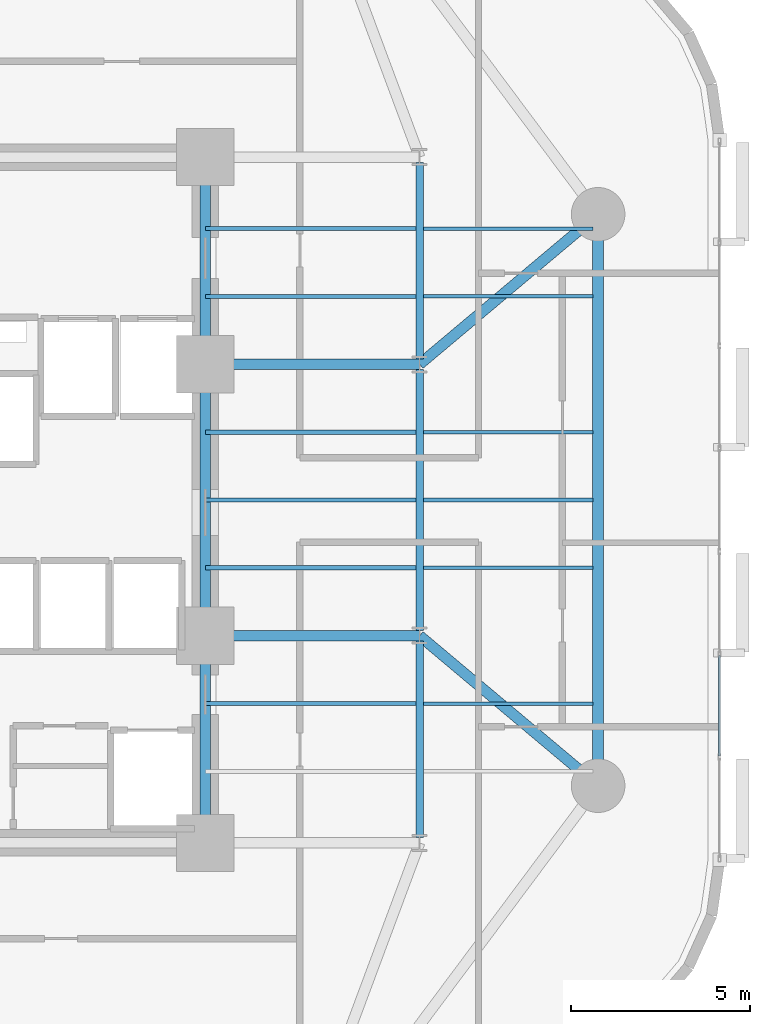
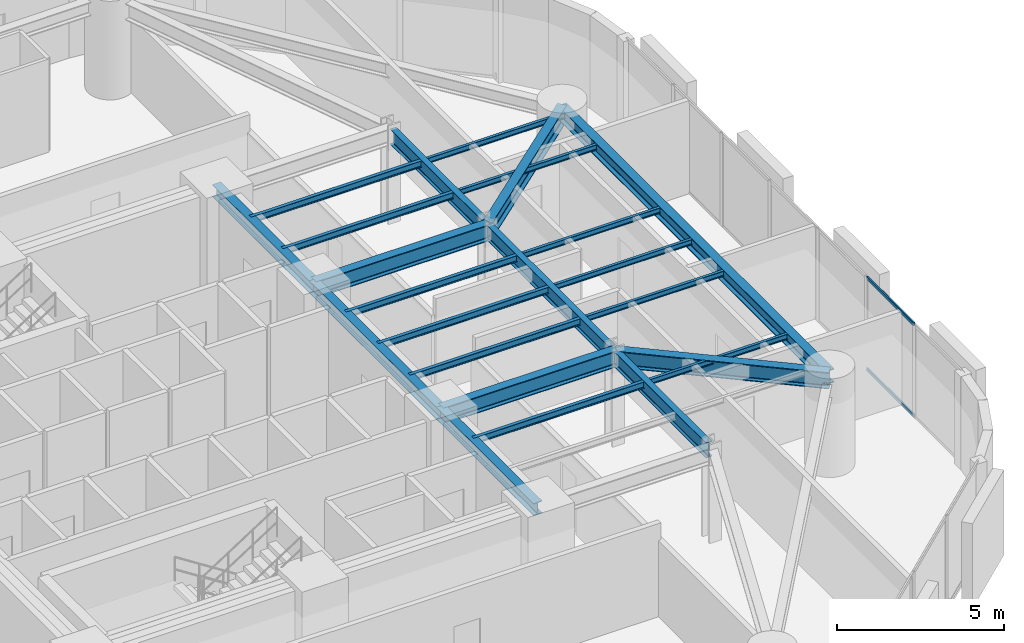
# One storey, part 5 of 16: 23 beams, 2 members, 1 element without a shape of its own.
"""IFC4 building model written with IfcOpenShell, lengths in metres."""

from ifc_helpers import new_model, si_unit, direction, frame, origin, origin_2d, place, context, subcontext, project, spatial, hollow_rectangle, i_section, extrude, material, layer, layer_set, material_profile, profile_set, type_object, element, aggregate, save


model = new_model("IFC4")

# Units and contexts
model_context = context("Model", 3, precision=1e-05, world=origin(), true_north=direction((0.0, 1.0)))
body_context = subcontext(model_context, "Body", "Model", "MODEL_VIEW")
ifc_project = project(units=[si_unit("LENGTHUNIT", "METRE"), si_unit("AREAUNIT", "SQUARE_METRE"), si_unit("VOLUMEUNIT", "CUBIC_METRE"), si_unit("PLANEANGLEUNIT", "RADIAN"), si_unit("MASSUNIT", "GRAM", prefix="KILO")], contexts=[model_context])

# Site, building, storey
site_placement = place(None, origin())
site = spatial("IfcSite", under=ifc_project, at=site_placement, CompositionType="ELEMENT")
building_placement = place(site_placement, origin())
building = spatial("IfcBuilding", under=site, at=building_placement, Name="An Khanh Terracotta Commons", CompositionType="ELEMENT")
storey_placement = place(building_placement, frame((0.0, 0.0, 54.0)))
storey = spatial("IfcBuildingStorey", under=building, at=storey_placement, Name="L14", CompositionType="ELEMENT", Elevation=54.0)

# Beams
ifc_material_1 = material(Name="Steel S355J2", Category="steel")
ifc_material_profile_1 = material_profile(ifc_material_1, i_section(OverallWidth=0.300048828125, OverallDepth=0.449951171875, WebThickness=0.013916015625, FlangeThickness=0.02587890625, FilletRadius=0.027099609375, at=origin_2d()), Name="HEB450")
ifc_profile_set_1 = profile_set([ifc_material_profile_1], Name="Steel S355J2")
beam_type_1 = type_object("IfcBeamType", Name="BM-HEB450", PredefinedType="BEAM", material=ifc_profile_set_1)
beam_1_placement = place(storey_placement, frame((37.199951171875, 14.39990234375, 3.175048828125), z_axis=(0.0, 1.0, 0.0), x_axis=(-1.0, 0.0, 0.0)))
element("IfcBeam", 1, at=beam_1_placement, inside=storey, type_object=beam_type_1, Name="L14 Core East Coupling Girder 1", PredefinedType="BEAM", context=body_context, shape_type="SweptSolid", body=[
    extrude(i_section(OverallWidth=0.300048828125, OverallDepth=0.449951171875, WebThickness=0.013916015625, FlangeThickness=0.02587890625, FilletRadius=0.027099609375, at=origin_2d()), origin(), (0.0, 0.0, 1.0), 5.800048828125),
])
beam_2_placement = place(storey_placement, frame((37.199951171875, 20.199951171875, 3.175048828125), z_axis=(0.0, 1.0, 0.0), x_axis=(-1.0, 0.0, 0.0)))
element("IfcBeam", 2, at=beam_2_placement, inside=storey, type_object=beam_type_1, Name="L14 Core East Coupling Girder 2", PredefinedType="BEAM", context=body_context, shape_type="SweptSolid", body=[
    extrude(i_section(OverallWidth=0.300048828125, OverallDepth=0.449951171875, WebThickness=0.013916015625, FlangeThickness=0.02587890625, FilletRadius=0.027099609375, at=origin_2d()), origin(), (0.0, 0.0, 1.0), 7.60009765625),
])
beam_3_placement = place(storey_placement, frame((37.199951171875, 27.800048828125, 3.175048828125), z_axis=(0.0, 1.0, 0.0), x_axis=(-1.0, 0.0, 0.0)))
element("IfcBeam", 3, at=beam_3_placement, inside=storey, type_object=beam_type_1, Name="L14 Core East Coupling Girder 3", PredefinedType="BEAM", context=body_context, shape_type="SweptSolid", body=[
    extrude(i_section(OverallWidth=0.300048828125, OverallDepth=0.449951171875, WebThickness=0.013916015625, FlangeThickness=0.02587890625, FilletRadius=0.027099609375, at=origin_2d()), origin(), (0.0, 0.0, 1.0), 5.800048828125),
])
ifc_material_profile_2 = material_profile(ifc_material_1, i_section(OverallWidth=0.300048828125, OverallDepth=0.5, WebThickness=0.014404296875, FlangeThickness=0.028076171875, FilletRadius=0.027099609375, at=origin_2d()), Name="HEB500")
ifc_profile_set_2 = profile_set([ifc_material_profile_2], Name="Steel S355J2")
beam_type_2 = type_object("IfcBeamType", Name="BM-HEB500", PredefinedType="BEAM", material=ifc_profile_set_2)
beam_4_placement = place(storey_placement, frame((48.199951171875, 16.0, 3.14990234375), z_axis=(0.0, 1.0, 0.0), x_axis=(-1.0, 0.0, 0.0)))
element("IfcBeam", 4, at=beam_4_placement, inside=storey, type_object=beam_type_2, Name="L14 Perimeter Ring Spandrel 3", PredefinedType="BEAM", context=body_context, shape_type="SweptSolid", body=[
    extrude(i_section(OverallWidth=0.300048828125, OverallDepth=0.5, WebThickness=0.014404296875, FlangeThickness=0.028076171875, FilletRadius=0.027099609375, at=origin_2d()), origin(), (0.0, 0.0, 1.0), 16.0),
])
ifc_material_profile_3 = material_profile(ifc_material_1, i_section(OverallWidth=0.300048828125, OverallDepth=0.60009765625, WebThickness=0.015380859375, FlangeThickness=0.030029296875, FilletRadius=0.027099609375, at=origin_2d()), Name="HEB600")
ifc_profile_set_3 = profile_set([ifc_material_profile_3], Name="Steel S355J2")
beam_type_3 = type_object("IfcBeamType", Name="BM-HEB600", PredefinedType="BEAM", material=ifc_profile_set_3)
for number, where, z_axis, x_axis, name in (
    (5, (37.199951171875, 20.199951171875, 3.10009765625), (1.0, 0.0, 0.0), (0.0, 1.0, 0.0), "L14 East Primary Floor Girder 2"),
    (6, (37.199951171875, 27.800048828125, 3.10009765625), (1.0, 0.0, 0.0), (0.0, 1.0, 0.0), "L14 East Primary Floor Girder 3"),
):
    element("IfcBeam", number, at=place(storey_placement, frame(where, z_axis=z_axis, x_axis=x_axis)), inside=storey, type_object=beam_type_3, Name=name, PredefinedType="BEAM", context=body_context, shape_type="SweptSolid", body=[
        extrude(i_section(OverallWidth=0.300048828125, OverallDepth=0.60009765625, WebThickness=0.015380859375, FlangeThickness=0.030029296875, FilletRadius=0.027099609375, at=origin_2d()), origin(), (0.0, 0.0, 1.0), 6.0),
    ])
for number, where, z_axis, x_axis, name in (
    (7, (48.199951171875, 16.0, 3.10009765625), (-0.765708547471, 0.643187702253, 0.0), (-0.643187702253, -0.765708547471, 0.0), "L14 Mega-Column Tie Girder 3"),
    (8, (48.199951171875, 32.0, 3.10009765625), (-0.765708547471, -0.643187702253, 0.0), (0.643187702253, -0.765708547471, 0.0), "L14 Mega-Column Tie Girder 4"),
):
    element("IfcBeam", number, at=place(storey_placement, frame(where, z_axis=z_axis, x_axis=x_axis)), inside=storey, type_object=beam_type_3, Name=name, PredefinedType="BEAM", context=body_context, shape_type="SweptSolid", body=[
        extrude(i_section(OverallWidth=0.300048828125, OverallDepth=0.60009765625, WebThickness=0.015380859375, FlangeThickness=0.030029296875, FilletRadius=0.027099609375, at=origin_2d()), origin(), (0.0, 0.0, 1.0), 6.52978515625),
    ])
ifc_material_profile_4 = material_profile(ifc_material_1, i_section(OverallWidth=0.10009765625, OverallDepth=0.199951171875, WebThickness=0.005615234375, FlangeThickness=0.008544921875, FilletRadius=0.011962890625, at=origin_2d()), Name="IPE200")
ifc_profile_set_4 = profile_set([ifc_material_profile_4], Name="Steel S355J2")
beam_type_4 = type_object("IfcBeamType", Name="BM-IPE200", PredefinedType="JOIST", material=ifc_profile_set_4)
for number, where, z_axis, x_axis, name in (
    (9, (43.304931640625, 18.300048828125, 3.300048828125), (1.0, 0.0, 0.0), (0.0, 1.0, 0.0), "L14 Riverfront Composite Joist 2"),
    (10, (43.304931640625, 22.10009765625, 3.300048828125), (1.0, 0.0, 0.0), (0.0, 1.0, 0.0), "L14 Riverfront Composite Joist 3"),
    (11, (43.304931640625, 24.0, 3.300048828125), (1.0, 0.0, 0.0), (0.0, 1.0, 0.0), "L14 Riverfront Composite Joist 4"),
    (12, (43.304931640625, 25.89990234375, 3.300048828125), (1.0, 0.0, 0.0), (0.0, 1.0, 0.0), "L14 Riverfront Composite Joist 5"),
    (13, (43.304931640625, 29.699951171875, 3.300048828125), (1.0, 0.0, 0.0), (0.0, 1.0, 0.0), "L14 Riverfront Composite Joist 6"),
    (14, (43.304931640625, 31.60009765625, 3.300048828125), (1.0, 0.0, 0.0), (0.0, 1.0, 0.0), "L14 Riverfront Composite Joist 7"),
):
    element("IfcBeam", number, at=place(storey_placement, frame(where, z_axis=z_axis, x_axis=x_axis)), inside=storey, type_object=beam_type_4, Name=name, PredefinedType="JOIST", context=body_context, shape_type="SweptSolid", body=[
        extrude(i_section(OverallWidth=0.10009765625, OverallDepth=0.199951171875, WebThickness=0.005615234375, FlangeThickness=0.008544921875, FilletRadius=0.011962890625, at=origin_2d()), origin(), (0.0, 0.0, 1.0), 4.7451171875),
    ])
ifc_material_profile_5 = material_profile(ifc_material_1, i_section(OverallWidth=0.1201171875, OverallDepth=0.239990234375, WebThickness=0.006103515625, FlangeThickness=0.009765625, FilletRadius=0.014892578125, at=origin_2d()), Name="IPE240")
ifc_profile_set_5 = profile_set([ifc_material_profile_5], Name="Steel S355J2")
beam_type_5 = type_object("IfcBeamType", Name="BM-IPE240", PredefinedType="JOIST", material=ifc_profile_set_5)
for number, where, z_axis, x_axis, name in (
    (15, (37.199951171875, 18.300048828125, 3.280029296875), (1.0, 0.0, 0.0), (0.0, 1.0, 0.0), "L14 Inboard Composite Joist 2"),
    (16, (37.199951171875, 22.10009765625, 3.280029296875), (1.0, 0.0, 0.0), (0.0, 1.0, 0.0), "L14 Inboard Composite Joist 3"),
    (17, (37.199951171875, 24.0, 3.280029296875), (1.0, 0.0, 0.0), (0.0, 1.0, 0.0), "L14 Inboard Composite Joist 4"),
    (18, (37.199951171875, 25.89990234375, 3.280029296875), (1.0, 0.0, 0.0), (0.0, 1.0, 0.0), "L14 Inboard Composite Joist 5"),
    (19, (37.199951171875, 29.699951171875, 3.280029296875), (1.0, 0.0, 0.0), (0.0, 1.0, 0.0), "L14 Inboard Composite Joist 6"),
    (20, (37.199951171875, 31.60009765625, 3.280029296875), (1.0, 0.0, 0.0), (0.0, 1.0, 0.0), "L14 Inboard Composite Joist 7"),
):
    element("IfcBeam", number, at=place(storey_placement, frame(where, z_axis=z_axis, x_axis=x_axis)), inside=storey, type_object=beam_type_5, Name=name, PredefinedType="JOIST", context=body_context, shape_type="SweptSolid", body=[
        extrude(i_section(OverallWidth=0.1201171875, OverallDepth=0.239990234375, WebThickness=0.006103515625, FlangeThickness=0.009765625, FilletRadius=0.014892578125, at=origin_2d()), origin(), (0.0, 0.0, 1.0), 5.89501953125),
    ])
ifc_material_profile_6 = material_profile(ifc_material_1, i_section(OverallWidth=0.2099609375, OverallDepth=0.550048828125, WebThickness=0.010986328125, FlangeThickness=0.01708984375, FilletRadius=0.02392578125, at=origin_2d()), Name="IPE550")
ifc_profile_set_6 = profile_set([ifc_material_profile_6], Name="Steel S355J2")
beam_type_6 = type_object("IfcBeamType", Name="BM-IPE550", PredefinedType="BEAM", material=ifc_profile_set_6)
beam_5_placement = place(storey_placement, frame((43.199951171875, 14.550048828125, 3.125), z_axis=(0.0, 1.0, 0.0), x_axis=(-1.0, 0.0, 0.0)))
element("IfcBeam", 21, at=beam_5_placement, inside=storey, type_object=beam_type_6, Name="L14 East Spine Girder 1", PredefinedType="BEAM", context=body_context, shape_type="SweptSolid", body=[
    extrude(i_section(OverallWidth=0.2099609375, OverallDepth=0.550048828125, WebThickness=0.010986328125, FlangeThickness=0.01708984375, FilletRadius=0.02392578125, at=origin_2d()), origin(), (0.0, 0.0, 1.0), 5.5),
])
beam_6_placement = place(storey_placement, frame((43.199951171875, 20.35009765625, 3.125), z_axis=(0.0, 1.0, 0.0), x_axis=(-1.0, 0.0, 0.0)))
element("IfcBeam", 22, at=beam_6_placement, inside=storey, type_object=beam_type_6, Name="L14 East Spine Girder 2", PredefinedType="BEAM", context=body_context, shape_type="SweptSolid", body=[
    extrude(i_section(OverallWidth=0.2099609375, OverallDepth=0.550048828125, WebThickness=0.010986328125, FlangeThickness=0.01708984375, FilletRadius=0.02392578125, at=origin_2d()), origin(), (0.0, 0.0, 1.0), 7.2998046875),
])
beam_7_placement = place(storey_placement, frame((43.199951171875, 27.949951171875, 3.125), z_axis=(0.0, 1.0, 0.0), x_axis=(-1.0, 0.0, 0.0)))
element("IfcBeam", 23, at=beam_7_placement, inside=storey, type_object=beam_type_6, Name="L14 East Spine Girder 3", PredefinedType="BEAM", context=body_context, shape_type="SweptSolid", body=[
    extrude(i_section(OverallWidth=0.2099609375, OverallDepth=0.550048828125, WebThickness=0.010986328125, FlangeThickness=0.01708984375, FilletRadius=0.02392578125, at=origin_2d()), origin(), (0.0, 0.0, 1.0), 5.5),
])

# Curtain wall, members
ifc_material_2 = material(Name="Anodised Aluminium 6063-T6", Category="aluminium")
ifc_layer = layer(ifc_material_2, 0.199951171875, Name="Anodised Aluminium 6063-T6")
ifc_layer_set = layer_set([ifc_layer], Name="Anodised Aluminium 6063-T6")
curtain_wall_type = type_object("IfcCurtainWallType", Name="CW-SYS-02", PredefinedType="USERDEFINED", material=ifc_layer_set)
curtain_wall_placement = place(storey_placement, origin())
curtain_wall = element("IfcCurtainWall", 24, at=curtain_wall_placement, inside=storey, type_object=curtain_wall_type, Name="L14 CW-02 Unitised Curtain Wall CW-L14-12", ObjectType="UNITISED CURTAIN WALL", PredefinedType="USERDEFINED")
ifc_material_profile_7 = material_profile(ifc_material_2, hollow_rectangle(XDim=0.06005859375, YDim=0.1201171875, WallThickness=0.003662109375, InnerFilletRadius=0.003662109375, OuterFilletRadius=0.007080078125, at=origin_2d()), Name="RHS120x60x3.6")
ifc_profile_set_7 = profile_set([ifc_material_profile_7], Name="Anodised Aluminium 6063-T6")
member_type = type_object("IfcMemberType", Name="CWT-RHS120x60x3.6", PredefinedType="USERDEFINED", material=ifc_profile_set_7)
member_1_placement = place(storey_placement, frame((51.60009765625, 16.837158203125, 0.030029296875), z_axis=(0.0, 1.0, 0.0), x_axis=(-1.0, 0.0, 0.0)))
member_1 = element("IfcMember", 25, at=member_1_placement, type_object=member_type, Name="CW-02 transom 2.1", ObjectType="TRANSOM", PredefinedType="USERDEFINED", context=body_context, shape_type="SweptSolid", body=[
    extrude(hollow_rectangle(XDim=0.06005859375, YDim=0.1201171875, WallThickness=0.003662109375, InnerFilletRadius=0.003662109375, OuterFilletRadius=0.007080078125, at=origin_2d()), origin(), (0.0, 0.0, 1.0), 2.80908203125),
])
member_2_placement = place(storey_placement, frame((51.60009765625, 16.837158203125, 3.3701171875), z_axis=(0.0, 1.0, 0.0), x_axis=(-1.0, 0.0, 0.0)))
member_2 = element("IfcMember", 26, at=member_2_placement, type_object=member_type, Name="CW-02 transom 2.2", ObjectType="TRANSOM", PredefinedType="USERDEFINED", context=body_context, shape_type="SweptSolid", body=[
    extrude(hollow_rectangle(XDim=0.06005859375, YDim=0.1201171875, WallThickness=0.003662109375, InnerFilletRadius=0.003662109375, OuterFilletRadius=0.007080078125, at=origin_2d()), origin(), (0.0, 0.0, 1.0), 2.80908203125),
])
aggregate(curtain_wall, [member_1, member_2])

save(model, "model.ifc")
